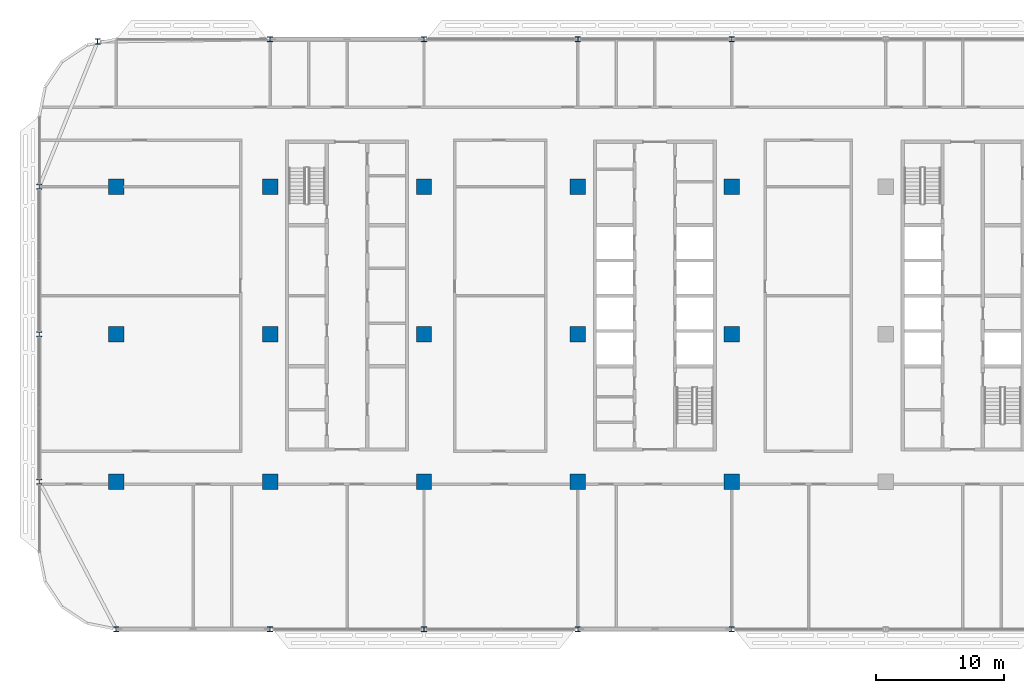
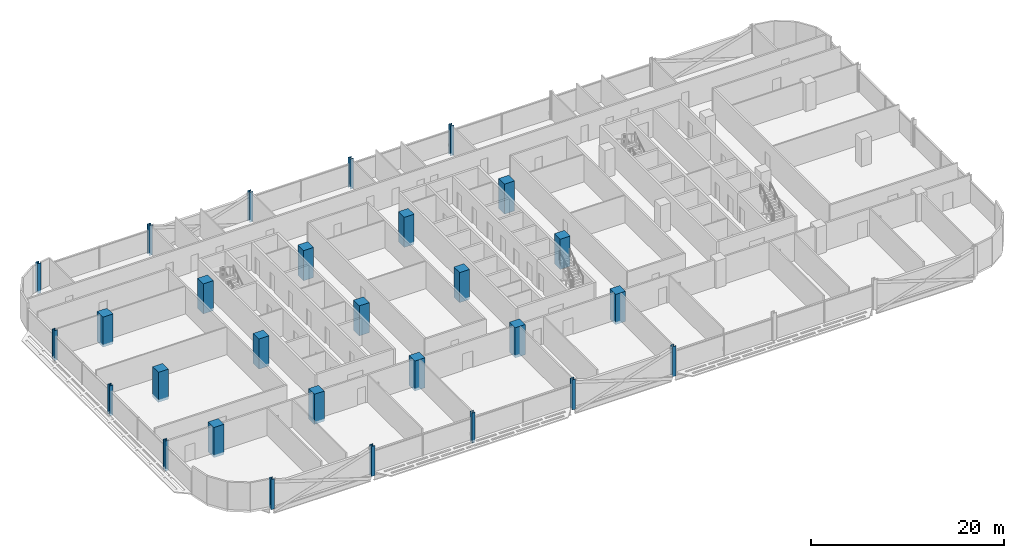
# One storey, part 1 of 27: 28 columns.
"""IFC4 building model written with IfcOpenShell, lengths in metres."""

from ifc_helpers import new_model, si_unit, direction, frame, origin, origin_2d, place, context, subcontext, project, spatial, rectangle, i_section, extrude, material, material_profile, profile_set, type_object, element, save


model = new_model("IFC4")

# Units and contexts
model_context = context("Model", 3, precision=1e-05, world=origin(), true_north=direction((0.0, 1.0)))
body_context = subcontext(model_context, "Body", "Model", "MODEL_VIEW")
ifc_project = project(units=[si_unit("LENGTHUNIT", "METRE"), si_unit("AREAUNIT", "SQUARE_METRE"), si_unit("VOLUMEUNIT", "CUBIC_METRE"), si_unit("PLANEANGLEUNIT", "RADIAN"), si_unit("MASSUNIT", "GRAM", prefix="KILO")], contexts=[model_context])

# Site, building, storey
site_placement = place(None, origin())
site = spatial("IfcSite", under=ifc_project, at=site_placement, CompositionType="ELEMENT")
building_placement = place(site_placement, origin())
building = spatial("IfcBuilding", under=site, at=building_placement, Name="Mahtab Terrace Research Tower", CompositionType="ELEMENT")
storey_placement = place(building_placement, frame((0.0, 0.0, 163.0)))
storey = spatial("IfcBuildingStorey", under=building, at=storey_placement, Name="L38", CompositionType="ELEMENT", Elevation=163.0)

# Columns
ifc_material_1 = material(Name="Concrete C70/85", Category="concrete")
ifc_material_profile_1 = material_profile(ifc_material_1, rectangle(XDim=1.199951171875, YDim=1.199951171875, at=origin_2d()), Name="RC column 1200x1200")
ifc_profile_set_1 = profile_set([ifc_material_profile_1], Name="Concrete C70/85")
column_type_1 = type_object("IfcColumnType", Name="RC column 1200x1200", PredefinedType="COLUMN", material=ifc_profile_set_1)
for number, where, z_axis, x_axis, name in (
    (1, (-42.0, -11.5, -0.340087890625), (0.0, 0.0, 1.0), (1.0, 0.0, 0.0), "Column RC-1A L38"),
    (2, (-42.0, 0.0, -0.340087890625), (0.0, 0.0, 1.0), (1.0, 0.0, 0.0), "Column RC-1B L38"),
    (3, (-42.0, 11.5, -0.340087890625), (0.0, 0.0, 1.0), (1.0, 0.0, 0.0), "Column RC-1C L38"),
    (4, (-30.0, -11.5, -0.340087890625), (0.0, 0.0, 1.0), (1.0, 0.0, 0.0), "Column RC-2A L38"),
    (5, (-30.0, 0.0, -0.340087890625), (0.0, 0.0, 1.0), (1.0, 0.0, 0.0), "Column RC-2B L38"),
    (6, (-30.0, 11.5, -0.340087890625), (0.0, 0.0, 1.0), (1.0, 0.0, 0.0), "Column RC-2C L38"),
    (7, (-18.0, -11.5, -0.340087890625), (0.0, 0.0, 1.0), (1.0, 0.0, 0.0), "Column RC-3A L38"),
    (8, (-18.0, 0.0, -0.340087890625), (0.0, 0.0, 1.0), (1.0, 0.0, 0.0), "Column RC-3B L38"),
    (9, (-18.0, 11.5, -0.340087890625), (0.0, 0.0, 1.0), (1.0, 0.0, 0.0), "Column RC-3C L38"),
    (10, (-6.0, -11.5, -0.340087890625), (0.0, 0.0, 1.0), (1.0, 0.0, 0.0), "Column RC-4A L38"),
    (11, (-6.0, 0.0, -0.340087890625), (0.0, 0.0, 1.0), (1.0, 0.0, 0.0), "Column RC-4B L38"),
    (12, (-6.0, 11.5, -0.340087890625), (0.0, 0.0, 1.0), (1.0, 0.0, 0.0), "Column RC-4C L38"),
    (13, (6.0, -11.5, -0.340087890625), (0.0, 0.0, 1.0), (1.0, 0.0, 0.0), "Column RC-5A L38"),
    (14, (6.0, 0.0, -0.340087890625), (0.0, 0.0, 1.0), (1.0, 0.0, 0.0), "Column RC-5B L38"),
    (15, (6.0, 11.5, -0.340087890625), (0.0, 0.0, 1.0), (1.0, 0.0, 0.0), "Column RC-5C L38"),
):
    element("IfcColumn", number, at=place(storey_placement, frame(where, z_axis=z_axis, x_axis=x_axis)), inside=storey, type_object=column_type_1, Name=name, PredefinedType="COLUMN", context=body_context, shape_type="SweptSolid", body=[
        extrude(rectangle(XDim=1.199951171875, YDim=1.199951171875, at=origin_2d()), origin(), (0.0, 0.0, 1.0), 3.800048828125),
    ])
ifc_material_2 = material(Name="Steel ASTM A992 Gr 50", Category="steel")
ifc_material_profile_2 = material_profile(ifc_material_2, i_section(OverallWidth=0.406494140625, OverallDepth=0.41650390625, WebThickness=0.030029296875, FlangeThickness=0.048095703125, at=origin_2d()), Name="W14X257")
ifc_profile_set_2 = profile_set([ifc_material_profile_2], Name="Steel ASTM A992 Gr 50")
column_type_2 = type_object("IfcColumnType", Name="W14x257 column CS14257", PredefinedType="COLUMN", material=ifc_profile_set_2)
for number, where, z_axis, x_axis, name in (
    (16, (6.0, 23.0, -0.340087890625), (0.0, 0.0, 1.0), (1.0, 0.0, 0.0), "Column SC-004 L38"),
    (17, (-6.0, 23.0, -0.340087890625), (0.0, 0.0, 1.0), (1.0, 0.0, 0.0), "Column SC-005 L38"),
    (18, (-18.0, 23.0, -0.340087890625), (0.0, 0.0, 1.0), (1.0, 0.0, 0.0), "Column SC-006 L38"),
    (19, (-30.0, 23.0, -0.340087890625), (0.0, 0.0, 1.0), (1.0, 0.0, 0.0), "Column SC-007 L38"),
    (20, (-43.447998046875, 22.822021484375, -0.340087890625), (0.0, 0.0, 1.0), (1.0, 0.0, 0.0), "Column SC-051 L38"),
    (21, (-48.0, 11.5, -0.340087890625), (0.0, 0.0, 1.0), (1.0, 0.0, 0.0), "Column SC-009 L38"),
    (22, (-48.0, 0.0, -0.340087890625), (0.0, 0.0, 1.0), (1.0, 0.0, 0.0), "Column SC-010 L38"),
    (23, (-48.0, -11.5, -0.340087890625), (0.0, 0.0, 1.0), (1.0, 0.0, 0.0), "Column SC-011 L38"),
    (24, (-42.0, -23.0, -0.340087890625), (0.0, 0.0, 1.0), (1.0, 0.0, 0.0), "Column SC-012 L38"),
    (25, (-30.0, -23.0, -0.340087890625), (0.0, 0.0, 1.0), (1.0, 0.0, 0.0), "Column SC-013 L38"),
    (26, (-18.0, -23.0, -0.340087890625), (0.0, 0.0, 1.0), (1.0, 0.0, 0.0), "Column SC-014 L38"),
    (27, (-6.0, -23.0, -0.340087890625), (0.0, 0.0, 1.0), (1.0, 0.0, 0.0), "Column SC-015 L38"),
    (28, (6.0, -23.0, -0.340087890625), (0.0, 0.0, 1.0), (1.0, 0.0, 0.0), "Column SC-016 L38"),
):
    element("IfcColumn", number, at=place(storey_placement, frame(where, z_axis=z_axis, x_axis=x_axis)), inside=storey, type_object=column_type_2, Name=name, PredefinedType="COLUMN", context=body_context, shape_type="SweptSolid", body=[
        extrude(i_section(OverallWidth=0.406494140625, OverallDepth=0.41650390625, WebThickness=0.030029296875, FlangeThickness=0.048095703125, at=origin_2d()), origin(), (0.0, 0.0, 1.0), 3.800048828125),
    ])

save(model, "model.ifc")
